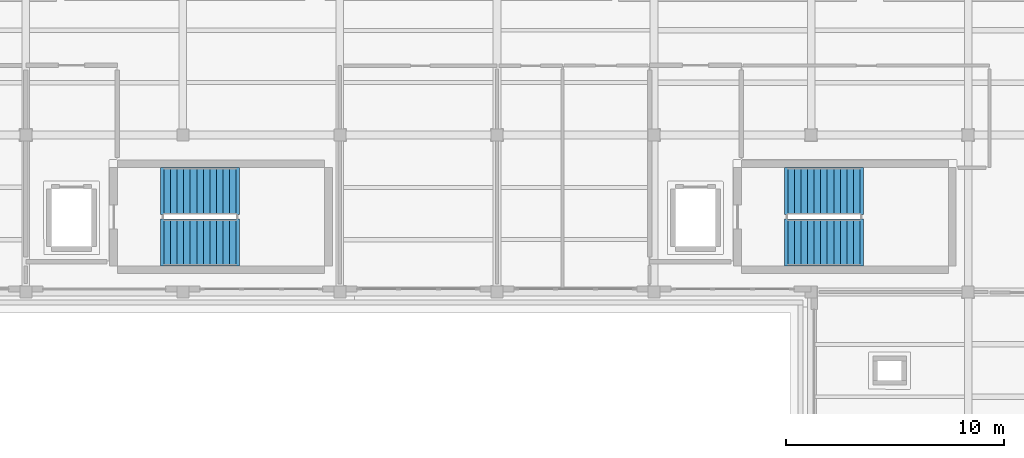
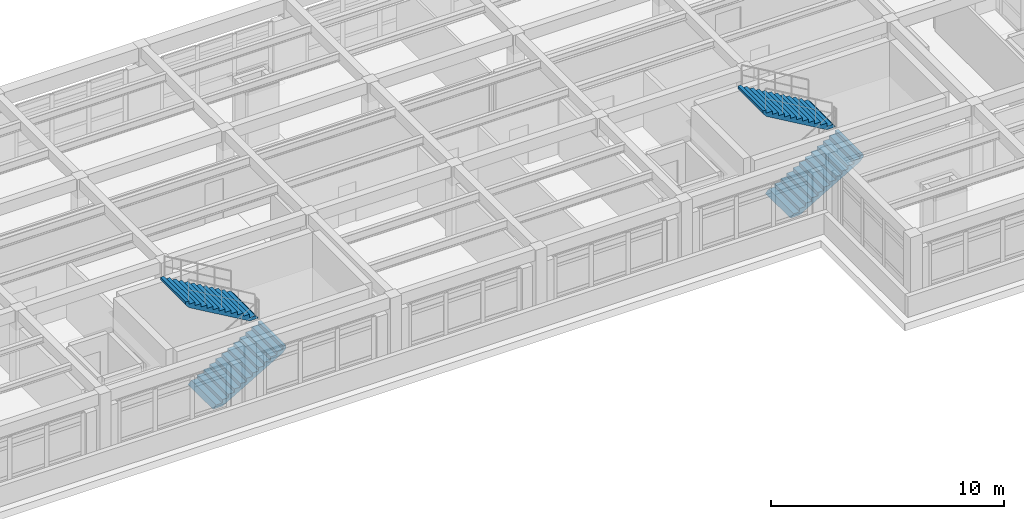
# One storey, part 17 of 21: 4 stair flights, 2 elements without a shape of their own.
"""IFC4 building model written with IfcOpenShell, lengths in metres."""

from ifc_helpers import new_model, si_unit, direction, frame, origin, place, context, subcontext, project, spatial, polyline, outline, extrude, material, type_object, element, aggregate, save


model = new_model("IFC4")

# Units and contexts
model_context = context("Model", 3, precision=1e-05, world=origin(), true_north=direction((0.0, 1.0)))
body_context = subcontext(model_context, "Body", "Model", "MODEL_VIEW")
ifc_project = project(units=[si_unit("LENGTHUNIT", "METRE"), si_unit("AREAUNIT", "SQUARE_METRE"), si_unit("VOLUMEUNIT", "CUBIC_METRE"), si_unit("PLANEANGLEUNIT", "RADIAN"), si_unit("MASSUNIT", "GRAM", prefix="KILO")], contexts=[model_context])

# Site, building, storey
site_placement = place(None, origin())
site = spatial("IfcSite", under=ifc_project, at=site_placement, CompositionType="ELEMENT")
building_placement = place(site_placement, origin())
building = spatial("IfcBuilding", under=site, at=building_placement, Name="Solenvale Faculty of Natural Sciences", CompositionType="ELEMENT")
storey_placement = place(building_placement, frame((0.0, 0.0, 31.199951171875)))
storey = spatial("IfcBuildingStorey", under=building, at=storey_placement, Name="L07", CompositionType="ELEMENT", Elevation=31.199951171875)

# Stair, stair flights
ifc_material = material(Name="Concrete 40 MPa", Category="concrete")
stair_type = type_object("IfcStairType", Name="STR-CORE-25R", PredefinedType="DOUBLE_RETURN_STAIR", material=ifc_material)
stair_1_placement = place(storey_placement, origin())
stair_1 = element("IfcStair", 1, at=stair_1_placement, inside=storey, type_object=stair_type, Name="L07 Protected Exit Stair ST-04", PredefinedType="DOUBLE_RETURN_STAIR")
stair_flight_type = type_object("IfcStairFlightType", Name="SFL-RC-25R", PredefinedType="STRAIGHT", material=ifc_material)
stair_flight_1_placement = place(storey_placement, frame((107.139892578125, 95.875, 0.0), z_axis=(0.0, 0.0, 1.0), x_axis=(1.0, 0.0, 0.0)))
stair_flight_1 = element("IfcStairFlight", 2, at=stair_flight_1_placement, type_object=stair_flight_type, Name="ST-04 flight 1", NumberOfRisers=12, NumberOfTreads=11, PredefinedType="STRAIGHT", RiserHeight=0.175, TreadLength=0.3, context=body_context, shape_type="SweptSolid", body=[
    extrude(outline(polyline([(-0.159912109375, 0.0), (0.0, 0.175048828125), (0.300048828125, 0.175048828125), (0.300048828125, 0.35009765625), (0.60009765625, 0.35009765625), (0.60009765625, 0.52490234375), (0.89990234375, 0.52490234375), (0.89990234375, 0.699951171875), (1.199951171875, 0.699951171875), (1.199951171875, 0.875), (1.5, 0.875), (1.5, 1.050048828125), (1.800048828125, 1.050048828125), (1.800048828125, 1.22509765625), (2.10009765625, 1.22509765625), (2.10009765625, 1.39990234375), (2.39990234375, 1.39990234375), (2.39990234375, 1.574951171875), (2.699951171875, 1.574951171875), (2.699951171875, 1.75), (3.0, 1.75), (3.0, 1.925048828125), (3.300048828125, 1.925048828125), (3.300048828125, 2.10009765625), (3.4599609375, 2.10009765625), (3.4599609375, 1.9501953125), (3.300048828125, 1.75146484375), (0.297607421875, 0.0), (-0.159912109375, 0.0)])), frame((0.0, 1.074951171875, 0.0), z_axis=(0.0, -1.0, 0.0), x_axis=(1.0, 0.0, 0.0)), (0.0, 0.0, 1.0), 2.14990234375),
])
stair_flight_2_placement = place(storey_placement, frame((110.43994140625, 98.22509765625, 2.10009765625), z_axis=(0.0, 0.0, 1.0), x_axis=(-1.0, 0.0, 0.0)))
stair_flight_2 = element("IfcStairFlight", 3, at=stair_flight_2_placement, type_object=stair_flight_type, Name="ST-04 flight 2", NumberOfRisers=12, NumberOfTreads=11, PredefinedType="STRAIGHT", RiserHeight=0.175, TreadLength=0.3, context=body_context, shape_type="SweptSolid", body=[
    extrude(outline(polyline([(-0.159912109375, 0.0), (0.0, 0.175048828125), (0.300048828125, 0.175048828125), (0.300048828125, 0.35009765625), (0.60009765625, 0.35009765625), (0.60009765625, 0.52490234375), (0.89990234375, 0.52490234375), (0.89990234375, 0.699951171875), (1.199951171875, 0.699951171875), (1.199951171875, 0.875), (1.5, 0.875), (1.5, 1.050048828125), (1.800048828125, 1.050048828125), (1.800048828125, 1.22509765625), (2.10009765625, 1.22509765625), (2.10009765625, 1.39990234375), (2.39990234375, 1.39990234375), (2.39990234375, 1.574951171875), (2.699951171875, 1.574951171875), (2.699951171875, 1.75), (3.0, 1.75), (3.0, 1.925048828125), (3.300048828125, 1.925048828125), (3.300048828125, 2.10009765625), (3.4599609375, 2.10009765625), (3.4599609375, 1.9501953125), (3.300048828125, 1.75146484375), (0.297607421875, 0.0), (-0.159912109375, 0.0)])), frame((0.0, 1.074951171875, 0.0), z_axis=(0.0, -1.0, 0.0), x_axis=(1.0, 0.0, 0.0)), (0.0, 0.0, 1.0), 2.14990234375),
])
aggregate(stair_1, [stair_flight_1, stair_flight_2])

stair_2_placement = place(storey_placement, origin())
stair_2 = element("IfcStair", 4, at=stair_2_placement, inside=storey, type_object=stair_type, Name="L07 Protected Exit Stair ST-05", PredefinedType="DOUBLE_RETURN_STAIR")
stair_flight_3_placement = place(storey_placement, frame((135.739990234375, 95.875, 0.0), z_axis=(0.0, 0.0, 1.0), x_axis=(1.0, 0.0, 0.0)))
stair_flight_3 = element("IfcStairFlight", 5, at=stair_flight_3_placement, type_object=stair_flight_type, Name="ST-05 flight 1", NumberOfRisers=12, NumberOfTreads=11, PredefinedType="STRAIGHT", RiserHeight=0.175, TreadLength=0.3, context=body_context, shape_type="SweptSolid", body=[
    extrude(outline(polyline([(-0.159912109375, 0.0), (0.0, 0.175048828125), (0.300048828125, 0.175048828125), (0.300048828125, 0.35009765625), (0.60009765625, 0.35009765625), (0.60009765625, 0.52490234375), (0.89990234375, 0.52490234375), (0.89990234375, 0.699951171875), (1.199951171875, 0.699951171875), (1.199951171875, 0.875), (1.5, 0.875), (1.5, 1.050048828125), (1.800048828125, 1.050048828125), (1.800048828125, 1.22509765625), (2.10009765625, 1.22509765625), (2.10009765625, 1.39990234375), (2.39990234375, 1.39990234375), (2.39990234375, 1.574951171875), (2.699951171875, 1.574951171875), (2.699951171875, 1.75), (3.0, 1.75), (3.0, 1.925048828125), (3.300048828125, 1.925048828125), (3.300048828125, 2.10009765625), (3.4599609375, 2.10009765625), (3.4599609375, 1.9501953125), (3.300048828125, 1.75146484375), (0.297607421875, 0.0), (-0.159912109375, 0.0)])), frame((0.0, 1.074951171875, 0.0), z_axis=(0.0, -1.0, 0.0), x_axis=(1.0, 0.0, 0.0)), (0.0, 0.0, 1.0), 2.14990234375),
])
stair_flight_4_placement = place(storey_placement, frame((139.0400390625, 98.22509765625, 2.10009765625), z_axis=(0.0, 0.0, 1.0), x_axis=(-1.0, 0.0, 0.0)))
stair_flight_4 = element("IfcStairFlight", 6, at=stair_flight_4_placement, type_object=stair_flight_type, Name="ST-05 flight 2", NumberOfRisers=12, NumberOfTreads=11, PredefinedType="STRAIGHT", RiserHeight=0.175, TreadLength=0.3, context=body_context, shape_type="SweptSolid", body=[
    extrude(outline(polyline([(-0.159912109375, 0.0), (0.0, 0.175048828125), (0.300048828125, 0.175048828125), (0.300048828125, 0.35009765625), (0.60009765625, 0.35009765625), (0.60009765625, 0.52490234375), (0.89990234375, 0.52490234375), (0.89990234375, 0.699951171875), (1.199951171875, 0.699951171875), (1.199951171875, 0.875), (1.5, 0.875), (1.5, 1.050048828125), (1.800048828125, 1.050048828125), (1.800048828125, 1.22509765625), (2.10009765625, 1.22509765625), (2.10009765625, 1.39990234375), (2.39990234375, 1.39990234375), (2.39990234375, 1.574951171875), (2.699951171875, 1.574951171875), (2.699951171875, 1.75), (3.0, 1.75), (3.0, 1.925048828125), (3.300048828125, 1.925048828125), (3.300048828125, 2.10009765625), (3.4599609375, 2.10009765625), (3.4599609375, 1.9501953125), (3.300048828125, 1.75146484375), (0.297607421875, 0.0), (-0.159912109375, 0.0)])), frame((0.0, 1.074951171875, 0.0), z_axis=(0.0, -1.0, 0.0), x_axis=(1.0, 0.0, 0.0)), (0.0, 0.0, 1.0), 2.14990234375),
])
aggregate(stair_2, [stair_flight_3, stair_flight_4])

save(model, "model.ifc")
